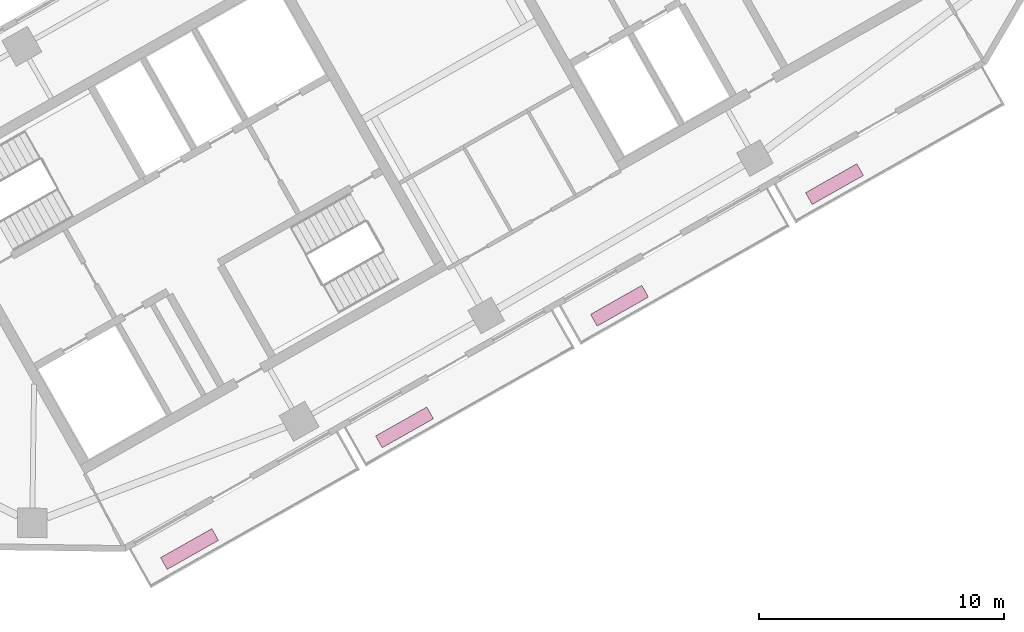
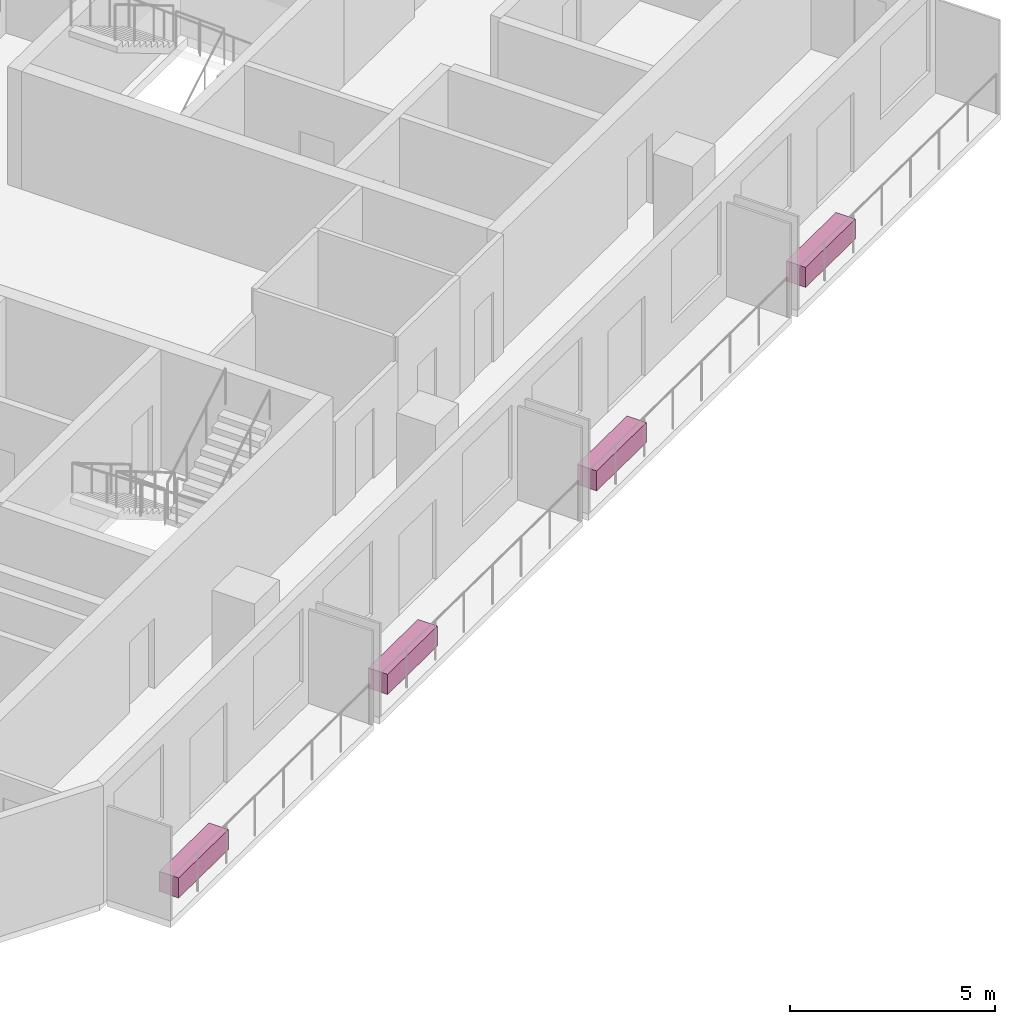
# One storey, part 7 of 7: 4 furnishings.
"""IFC4 building model written with IfcOpenShell, lengths in metres."""

from ifc_helpers import new_model, si_unit, direction, frame, origin, origin_2d, place, context, subcontext, project, spatial, rectangle, extrude, material, type_object, element, save


model = new_model("IFC4")

# Units and contexts
model_context = context("Model", 3, precision=1e-05, world=origin(), true_north=direction((0.0, 1.0)))
body_context = subcontext(model_context, "Body", "Model", "MODEL_VIEW")
ifc_project = project(units=[si_unit("LENGTHUNIT", "METRE"), si_unit("AREAUNIT", "SQUARE_METRE"), si_unit("VOLUMEUNIT", "CUBIC_METRE"), si_unit("PLANEANGLEUNIT", "RADIAN"), si_unit("MASSUNIT", "GRAM", prefix="KILO")], contexts=[model_context])

# Site, building, storey
site_placement = place(None, origin())
site = spatial("IfcSite", under=ifc_project, at=site_placement, CompositionType="ELEMENT")
building_placement = place(site_placement, origin())
building = spatial("IfcBuilding", under=site, at=building_placement, Name="Binnacle Exchange Tower", CompositionType="ELEMENT")
storey_placement = place(building_placement, frame((0.0, 0.0, 304.5)))
storey = spatial("IfcBuildingStorey", under=building, at=storey_placement, Name="L68", CompositionType="ELEMENT", Elevation=304.5)

# Furnishings
ifc_material = material(Name="Concrete C35/45", Category="concrete")
furnishing_element_type = type_object("IfcFurnishingElementType", Name="PLANTER 2400x550x600", material=ifc_material)
for number, where, z_axis, x_axis, name in (
    (1, (-35.44677734375, 26.428466796875, 0.0), (0.0, 0.0, 1.0), (0.87035569594, 0.492423560103, 0.0), "Planter H07-B00a L68"),
    (2, (-26.683837890625, 31.38623046875, 0.0), (0.0, 0.0, 1.0), (0.87035569594, 0.492423560103, 0.0), "Planter H07-B01a L68"),
    (3, (-17.9208984375, 36.34423828125, 0.0), (0.0, 0.0, 1.0), (0.87035569594, 0.492423560103, 0.0), "Planter H07-B02a L68"),
    (4, (-9.158203125, 41.302001953125, 0.0), (0.0, 0.0, 1.0), (0.87035569594, 0.492423560103, 0.0), "Planter H07-B03a L68"),
):
    element("IfcFurnishingElement", number, at=place(storey_placement, frame(where, z_axis=z_axis, x_axis=x_axis)), inside=storey, type_object=furnishing_element_type, Name=name, ObjectType="PLANTER", context=body_context, shape_type="SweptSolid", body=[
        extrude(rectangle(XDim=2.39990234375, YDim=0.550048828125, at=origin_2d()), origin(), (0.0, 0.0, 1.0), 0.60009765625),
    ])

save(model, "model.ifc")
